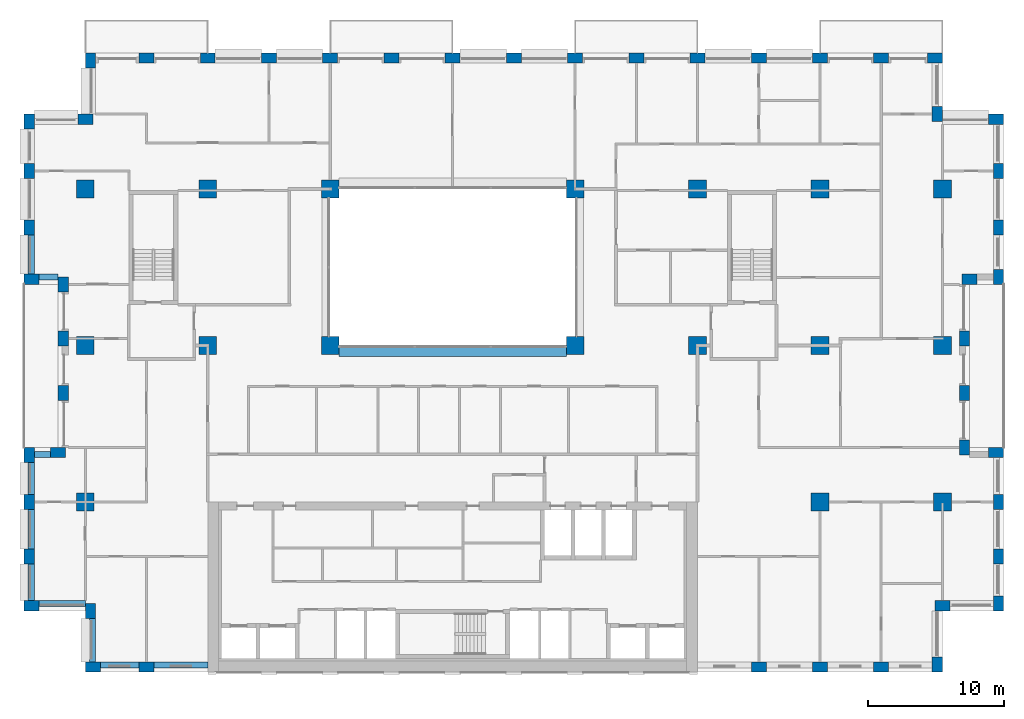
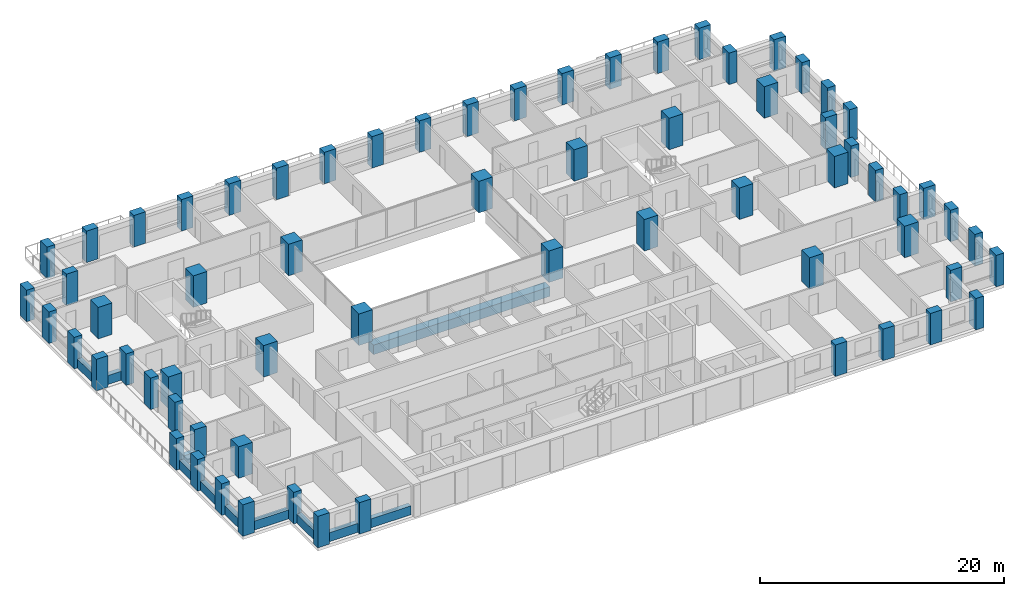
# One storey, part 1 of 16: 66 columns, 11 beams.
"""IFC4 building model written with IfcOpenShell, lengths in metres."""

from ifc_helpers import new_model, si_unit, direction, frame, origin, origin_2d, place, context, subcontext, project, spatial, rectangle, extrude, material, material_profile, profile_set, type_object, element, save


model = new_model("IFC4")

# Units and contexts
model_context = context("Model", 3, precision=1e-05, world=origin(), true_north=direction((0.0, 1.0)))
body_context = subcontext(model_context, "Body", "Model", "MODEL_VIEW")
ifc_project = project(units=[si_unit("LENGTHUNIT", "METRE"), si_unit("AREAUNIT", "SQUARE_METRE"), si_unit("VOLUMEUNIT", "CUBIC_METRE"), si_unit("PLANEANGLEUNIT", "RADIAN"), si_unit("MASSUNIT", "GRAM", prefix="KILO")], contexts=[model_context])

# Site, building, storey
site_placement = place(None, origin())
site = spatial("IfcSite", under=ifc_project, at=site_placement, CompositionType="ELEMENT")
building_placement = place(site_placement, origin())
building = spatial("IfcBuilding", under=site, at=building_placement, Name="Brigalow Station Residences", CompositionType="ELEMENT")
storey_placement = place(building_placement, frame((0.0, 0.0, 102.449951171875)))
storey = spatial("IfcBuildingStorey", under=building, at=storey_placement, Name="L29", CompositionType="ELEMENT", Elevation=102.449951171875)

# Columns
ifc_material_1 = material(Name="Concrete C65", Category="concrete")
ifc_material_profile_1 = material_profile(ifc_material_1, rectangle(XDim=1.300048828125, YDim=1.300048828125, at=origin_2d()), Name="RC1300x1300")
ifc_profile_set_1 = profile_set([ifc_material_profile_1], Name="Concrete C65")
column_type_1 = type_object("IfcColumnType", Name="COLUMN 1300x1300 C65", PredefinedType="COLUMN", material=ifc_profile_set_1)
for number, where, z_axis, x_axis, name in (
    (1, (9.0, 24.0, 0.0), (0.0, 0.0, 1.0), (1.0, 0.0, 0.0), "COLUMN C1 L29"),
    (2, (18.0, 24.0, 0.0), (0.0, 0.0, 1.0), (1.0, 0.0, 0.0), "COLUMN C2 L29"),
    (3, (27.0, 24.0, 0.0), (0.0, 0.0, 1.0), (1.0, 0.0, 0.0), "COLUMN C3 L29"),
    (4, (45.0, 24.0, 0.0), (0.0, 0.0, 1.0), (1.0, 0.0, 0.0), "COLUMN C5 L29"),
    (5, (54.0, 24.0, 0.0), (0.0, 0.0, 1.0), (1.0, 0.0, 0.0), "COLUMN C6 L29"),
    (6, (63.0, 24.0, 0.0), (0.0, 0.0, 1.0), (1.0, 0.0, 0.0), "COLUMN C7 L29"),
    (7, (72.0, 24.0, 0.0), (0.0, 0.0, 1.0), (1.0, 0.0, 0.0), "COLUMN C8 L29"),
    (8, (9.0, 35.5, 0.0), (0.0, 0.0, 1.0), (1.0, 0.0, 0.0), "COLUMN D1 L29"),
    (9, (18.0, 35.5, 0.0), (0.0, 0.0, 1.0), (1.0, 0.0, 0.0), "COLUMN D2 L29"),
    (10, (27.0, 35.5, 0.0), (0.0, 0.0, 1.0), (1.0, 0.0, 0.0), "COLUMN D3 L29"),
    (11, (45.0, 35.5, 0.0), (0.0, 0.0, 1.0), (1.0, 0.0, 0.0), "COLUMN D5 L29"),
    (12, (54.0, 35.5, 0.0), (0.0, 0.0, 1.0), (1.0, 0.0, 0.0), "COLUMN D6 L29"),
    (13, (63.0, 35.5, 0.0), (0.0, 0.0, 1.0), (1.0, 0.0, 0.0), "COLUMN D7 L29"),
    (14, (72.0, 35.5, 0.0), (0.0, 0.0, 1.0), (1.0, 0.0, 0.0), "COLUMN D8 L29"),
    (15, (9.0, 12.5, 0.0), (0.0, 0.0, 1.0), (1.0, 0.0, 0.0), "COLUMN B1 L29"),
    (16, (63.0, 12.5, 0.0), (0.0, 0.0, 1.0), (1.0, 0.0, 0.0), "COLUMN B7 L29"),
    (17, (72.0, 12.5, 0.0), (0.0, 0.0, 1.0), (1.0, 0.0, 0.0), "COLUMN B8 L29"),
):
    element("IfcColumn", number, at=place(storey_placement, frame(where, z_axis=z_axis, x_axis=x_axis)), inside=storey, type_object=column_type_1, Name=name, PredefinedType="COLUMN", context=body_context, shape_type="SweptSolid", body=[
        extrude(rectangle(XDim=1.300048828125, YDim=1.300048828125, at=origin_2d()), origin(), (0.0, 0.0, 1.0), 3.150146484375),
    ])
ifc_material_2 = material(Name="Concrete C65", Category="concrete")
ifc_material_profile_2 = material_profile(ifc_material_2, rectangle(XDim=1.10009765625, YDim=0.75, at=origin_2d()), Name="RC1100x750")
ifc_profile_set_2 = profile_set([ifc_material_profile_2], Name="Concrete C65")
column_type_2 = type_object("IfcColumnType", Name="PIER 1100x750 C65", PredefinedType="USERDEFINED", material=ifc_profile_set_2)
for number, where, z_axis, x_axis, name in (
    (18, (9.550048828125, 0.375, 0.0), (0.0, 0.0, 1.0), (1.0, 0.0, 0.0), "PIER S-1 L29"),
    (19, (13.5, 0.375, 0.0), (0.0, 0.0, 1.0), (1.0, 0.0, 0.0), "PIER S-2 L29"),
    (20, (58.5, 0.375, 0.0), (0.0, 0.0, 1.0), (1.0, 0.0, 0.0), "PIER S-12 L29"),
    (21, (63.0, 0.375, 0.0), (0.0, 0.0, 1.0), (1.0, 0.0, 0.0), "PIER S-13 L29"),
    (22, (67.5, 0.375, 0.0), (0.0, 0.0, 1.0), (1.0, 0.0, 0.0), "PIER S-14 L29"),
    (23, (71.625, 0.550048828125, 0.0), (0.0, 0.0, 1.0), (0.0, 1.0, 0.0), "PIER SE1-1 L29"),
    (24, (72.0, 4.875, 0.0), (0.0, 0.0, 1.0), (1.0, 0.0, 0.0), "PIER SE2-1 L29"),
    (25, (76.125, 5.050048828125, 0.0), (0.0, 0.0, 1.0), (0.0, 1.0, 0.0), "PIER E1-1 L29"),
    (26, (76.125, 8.5, 0.0), (0.0, 0.0, 1.0), (0.0, 1.0, 0.0), "PIER E1-2 L29"),
    (27, (76.125, 12.5, 0.0), (0.0, 0.0, 1.0), (0.0, 1.0, 0.0), "PIER E1-3 L29"),
    (28, (75.949951171875, 16.125, 0.0), (0.0, 0.0, 1.0), (-1.0, 0.0, 0.0), "PIER EL1-1 L29"),
    (29, (73.625, 16.5, 0.0), (0.0, 0.0, 1.0), (0.0, 1.0, 0.0), "PIER EL2-1 L29"),
    (30, (73.625, 20.5, 0.0), (0.0, 0.0, 1.0), (0.0, 1.0, 0.0), "PIER EL2-2 L29"),
    (31, (73.625, 24.5, 0.0), (0.0, 0.0, 1.0), (0.0, 1.0, 0.0), "PIER EL2-3 L29"),
    (32, (74.0, 28.875, 0.0), (0.0, 0.0, 1.0), (1.0, 0.0, 0.0), "PIER EL3-1 L29"),
    (33, (76.125, 29.050048828125, 0.0), (0.0, 0.0, 1.0), (0.0, 1.0, 0.0), "PIER E2-1 L29"),
    (34, (76.125, 32.6669921875, 0.0), (0.0, 0.0, 1.0), (0.0, 1.0, 0.0), "PIER E2-2 L29"),
    (35, (76.125, 36.8330078125, 0.0), (0.0, 0.0, 1.0), (0.0, 1.0, 0.0), "PIER E2-3 L29"),
    (36, (75.949951171875, 40.625, 0.0), (0.0, 0.0, 1.0), (-1.0, 0.0, 0.0), "PIER NE1-1 L29"),
    (37, (71.625, 41.0, 0.0), (0.0, 0.0, 1.0), (0.0, 1.0, 0.0), "PIER NE2-1 L29"),
    (38, (71.449951171875, 45.125, 0.0), (0.0, 0.0, 1.0), (-1.0, 0.0, 0.0), "PIER N-1 L29"),
    (39, (67.5, 45.125, 0.0), (0.0, 0.0, 1.0), (-1.0, 0.0, 0.0), "PIER N-2 L29"),
    (40, (63.0, 45.125, 0.0), (0.0, 0.0, 1.0), (-1.0, 0.0, 0.0), "PIER N-3 L29"),
    (41, (58.5, 45.125, 0.0), (0.0, 0.0, 1.0), (-1.0, 0.0, 0.0), "PIER N-4 L29"),
    (42, (54.0, 45.125, 0.0), (0.0, 0.0, 1.0), (-1.0, 0.0, 0.0), "PIER N-5 L29"),
    (43, (49.5, 45.125, 0.0), (0.0, 0.0, 1.0), (-1.0, 0.0, 0.0), "PIER N-6 L29"),
    (44, (45.0, 45.125, 0.0), (0.0, 0.0, 1.0), (-1.0, 0.0, 0.0), "PIER N-7 L29"),
    (45, (40.5, 45.125, 0.0), (0.0, 0.0, 1.0), (-1.0, 0.0, 0.0), "PIER N-8 L29"),
    (46, (36.0, 45.125, 0.0), (0.0, 0.0, 1.0), (-1.0, 0.0, 0.0), "PIER N-9 L29"),
    (47, (31.5, 45.125, 0.0), (0.0, 0.0, 1.0), (-1.0, 0.0, 0.0), "PIER N-10 L29"),
    (48, (27.0, 45.125, 0.0), (0.0, 0.0, 1.0), (-1.0, 0.0, 0.0), "PIER N-11 L29"),
    (49, (22.5, 45.125, 0.0), (0.0, 0.0, 1.0), (-1.0, 0.0, 0.0), "PIER N-12 L29"),
    (50, (18.0, 45.125, 0.0), (0.0, 0.0, 1.0), (-1.0, 0.0, 0.0), "PIER N-13 L29"),
    (51, (13.5, 45.125, 0.0), (0.0, 0.0, 1.0), (-1.0, 0.0, 0.0), "PIER N-14 L29"),
    (52, (9.375, 44.949951171875, 0.0), (0.0, 0.0, 1.0), (0.0, -1.0, 0.0), "PIER NW1-1 L29"),
    (53, (9.0, 40.625, 0.0), (0.0, 0.0, 1.0), (-1.0, 0.0, 0.0), "PIER NW2-1 L29"),
    (54, (4.875, 40.449951171875, 0.0), (0.0, 0.0, 1.0), (0.0, -1.0, 0.0), "PIER W2-1 L29"),
    (55, (4.875, 36.8330078125, 0.0), (0.0, 0.0, 1.0), (0.0, -1.0, 0.0), "PIER W2-2 L29"),
    (56, (4.875, 32.6669921875, 0.0), (0.0, 0.0, 1.0), (0.0, -1.0, 0.0), "PIER W2-3 L29"),
    (57, (5.050048828125, 28.875, 0.0), (0.0, 0.0, 1.0), (1.0, 0.0, 0.0), "PIER WL1-1 L29"),
    (58, (7.375, 28.5, 0.0), (0.0, 0.0, 1.0), (0.0, -1.0, 0.0), "PIER WL2-1 L29"),
    (59, (7.375, 24.5, 0.0), (0.0, 0.0, 1.0), (0.0, -1.0, 0.0), "PIER WL2-2 L29"),
    (60, (7.375, 20.5, 0.0), (0.0, 0.0, 1.0), (0.0, -1.0, 0.0), "PIER WL2-3 L29"),
    (61, (7.0, 16.125, 0.0), (0.0, 0.0, 1.0), (-1.0, 0.0, 0.0), "PIER WL3-1 L29"),
    (62, (4.875, 15.949951171875, 0.0), (0.0, 0.0, 1.0), (0.0, -1.0, 0.0), "PIER W1-1 L29"),
    (63, (4.875, 12.5, 0.0), (0.0, 0.0, 1.0), (0.0, -1.0, 0.0), "PIER W1-2 L29"),
    (64, (4.875, 8.5, 0.0), (0.0, 0.0, 1.0), (0.0, -1.0, 0.0), "PIER W1-3 L29"),
    (65, (5.050048828125, 4.875, 0.0), (0.0, 0.0, 1.0), (1.0, 0.0, 0.0), "PIER SW1-1 L29"),
    (66, (9.375, 4.5, 0.0), (0.0, 0.0, 1.0), (0.0, -1.0, 0.0), "PIER SW2-1 L29"),
):
    element("IfcColumn", number, at=place(storey_placement, frame(where, z_axis=z_axis, x_axis=x_axis)), inside=storey, type_object=column_type_2, Name=name, ObjectType="PIER", PredefinedType="USERDEFINED", context=body_context, shape_type="SweptSolid", body=[
        extrude(rectangle(XDim=1.10009765625, YDim=0.75, at=origin_2d()), origin(), (0.0, 0.0, 1.0), 3.150146484375),
    ])

# Beams
ifc_material_3 = material(Name="Concrete C65", Category="concrete")
ifc_material_profile_3 = material_profile(ifc_material_3, rectangle(XDim=0.800048828125, YDim=0.949951171875, at=origin_2d()), Name="RC800x950")
ifc_profile_set_3 = profile_set([ifc_material_profile_3], Name="Concrete C65")
beam_type_1 = type_object("IfcBeamType", Name="ATRIUM EDGE GIRDER OVER 13.5 M SPAN 800x950 C65", PredefinedType="BEAM", material=ifc_profile_set_3)
beam_1_placement = place(storey_placement, frame((27.64990234375, 23.60009765625, -0.794921875), z_axis=(1.0, 0.0, 0.0), x_axis=(0.0, 1.0, 0.0)))
element("IfcBeam", 67, at=beam_1_placement, inside=storey, type_object=beam_type_1, Name="ATRIUM EDGE GIRDER C L29", PredefinedType="BEAM", context=body_context, shape_type="SweptSolid", body=[
    extrude(rectangle(XDim=0.800048828125, YDim=0.949951171875, at=origin_2d()), origin(), (0.0, 0.0, 1.0), 16.7001953125),
])
ifc_material_4 = material(Name="Concrete C65", Category="concrete")
ifc_material_profile_4 = material_profile(ifc_material_4, rectangle(XDim=0.449951171875, YDim=0.89990234375, at=origin_2d()), Name="RC450x900")
ifc_profile_set_4 = profile_set([ifc_material_profile_4], Name="Concrete C65")
beam_type_2 = type_object("IfcBeamType", Name="SPANDREL BEAM 450x900 C65", PredefinedType="SPANDREL", material=ifc_profile_set_4)
beam_2_placement = place(storey_placement, frame((10.10009765625, 0.52490234375, 0.449951171875), z_axis=(1.0, 0.0, 0.0), x_axis=(0.0, 1.0, 0.0)))
element("IfcBeam", 68, at=beam_2_placement, inside=storey, type_object=beam_type_2, Name="L29/spandrel/W-L29-1", PredefinedType="SPANDREL", context=body_context, shape_type="SweptSolid", body=[
    extrude(rectangle(XDim=0.449951171875, YDim=0.89990234375, at=origin_2d()), origin(), (0.0, 0.0, 1.0), 2.849853515625),
])
beam_3_placement = place(storey_placement, frame((14.050048828125, 0.52490234375, 0.449951171875), z_axis=(1.0, 0.0, 0.0), x_axis=(0.0, 1.0, 0.0)))
element("IfcBeam", 69, at=beam_3_placement, inside=storey, type_object=beam_type_2, Name="L29/spandrel/W-L29-2", PredefinedType="SPANDREL", context=body_context, shape_type="SweptSolid", body=[
    extrude(rectangle(XDim=0.449951171875, YDim=0.89990234375, at=origin_2d()), origin(), (0.0, 0.0, 1.0), 3.949951171875),
])
beam_4_placement = place(storey_placement, frame((5.02490234375, 32.116943359375, 0.449951171875), z_axis=(0.0, -1.0, 0.0), x_axis=(1.0, 0.0, 0.0)))
element("IfcBeam", 70, at=beam_4_placement, inside=storey, type_object=beam_type_2, Name="L29/spandrel/W-L29-41", PredefinedType="SPANDREL", context=body_context, shape_type="SweptSolid", body=[
    extrude(rectangle(XDim=0.449951171875, YDim=0.89990234375, at=origin_2d()), origin(), (0.0, 0.0, 1.0), 2.866943359375),
])
beam_5_placement = place(storey_placement, frame((5.60009765625, 29.02490234375, 0.449951171875), z_axis=(1.0, 0.0, 0.0), x_axis=(0.0, 1.0, 0.0)))
element("IfcBeam", 71, at=beam_5_placement, inside=storey, type_object=beam_type_2, Name="L29/spandrel/W-L29-42", PredefinedType="SPANDREL", context=body_context, shape_type="SweptSolid", body=[
    extrude(rectangle(XDim=0.449951171875, YDim=0.89990234375, at=origin_2d()), origin(), (0.0, 0.0, 1.0), 1.39990234375),
])
beam_6_placement = place(storey_placement, frame((6.449951171875, 15.97509765625, 0.449951171875), z_axis=(-1.0, 0.0, 0.0), x_axis=(0.0, -1.0, 0.0)))
element("IfcBeam", 72, at=beam_6_placement, inside=storey, type_object=beam_type_2, Name="L29/spandrel/W-L29-46", PredefinedType="SPANDREL", context=body_context, shape_type="SweptSolid", body=[
    extrude(rectangle(XDim=0.449951171875, YDim=0.89990234375, at=origin_2d()), origin(), (0.0, 0.0, 1.0), 1.199951171875),
])
beam_7_placement = place(storey_placement, frame((5.02490234375, 15.39990234375, 0.449951171875), z_axis=(0.0, -1.0, 0.0), x_axis=(1.0, 0.0, 0.0)))
element("IfcBeam", 73, at=beam_7_placement, inside=storey, type_object=beam_type_2, Name="L29/spandrel/W-L29-47", PredefinedType="SPANDREL", context=body_context, shape_type="SweptSolid", body=[
    extrude(rectangle(XDim=0.449951171875, YDim=0.89990234375, at=origin_2d()), origin(), (0.0, 0.0, 1.0), 2.349853515625),
])
beam_8_placement = place(storey_placement, frame((5.02490234375, 11.949951171875, 0.449951171875), z_axis=(0.0, -1.0, 0.0), x_axis=(1.0, 0.0, 0.0)))
element("IfcBeam", 74, at=beam_8_placement, inside=storey, type_object=beam_type_2, Name="L29/spandrel/W-L29-48", PredefinedType="SPANDREL", context=body_context, shape_type="SweptSolid", body=[
    extrude(rectangle(XDim=0.449951171875, YDim=0.89990234375, at=origin_2d()), origin(), (0.0, 0.0, 1.0), 2.89990234375),
])
beam_9_placement = place(storey_placement, frame((5.02490234375, 7.949951171875, 0.449951171875), z_axis=(0.0, -1.0, 0.0), x_axis=(1.0, 0.0, 0.0)))
element("IfcBeam", 75, at=beam_9_placement, inside=storey, type_object=beam_type_2, Name="L29/spandrel/W-L29-49", PredefinedType="SPANDREL", context=body_context, shape_type="SweptSolid", body=[
    extrude(rectangle(XDim=0.449951171875, YDim=0.89990234375, at=origin_2d()), origin(), (0.0, 0.0, 1.0), 2.699951171875),
])
beam_10_placement = place(storey_placement, frame((5.60009765625, 5.02490234375, 0.449951171875), z_axis=(1.0, 0.0, 0.0), x_axis=(0.0, 1.0, 0.0)))
element("IfcBeam", 76, at=beam_10_placement, inside=storey, type_object=beam_type_2, Name="L29/spandrel/W-L29-50", PredefinedType="SPANDREL", context=body_context, shape_type="SweptSolid", body=[
    extrude(rectangle(XDim=0.449951171875, YDim=0.89990234375, at=origin_2d()), origin(), (0.0, 0.0, 1.0), 3.39990234375),
])
beam_11_placement = place(storey_placement, frame((9.52490234375, 3.949951171875, 0.449951171875), z_axis=(0.0, -1.0, 0.0), x_axis=(1.0, 0.0, 0.0)))
element("IfcBeam", 77, at=beam_11_placement, inside=storey, type_object=beam_type_2, Name="L29/spandrel/W-L29-51", PredefinedType="SPANDREL", context=body_context, shape_type="SweptSolid", body=[
    extrude(rectangle(XDim=0.449951171875, YDim=0.89990234375, at=origin_2d()), origin(), (0.0, 0.0, 1.0), 3.199951171875),
])

save(model, "model.ifc")
